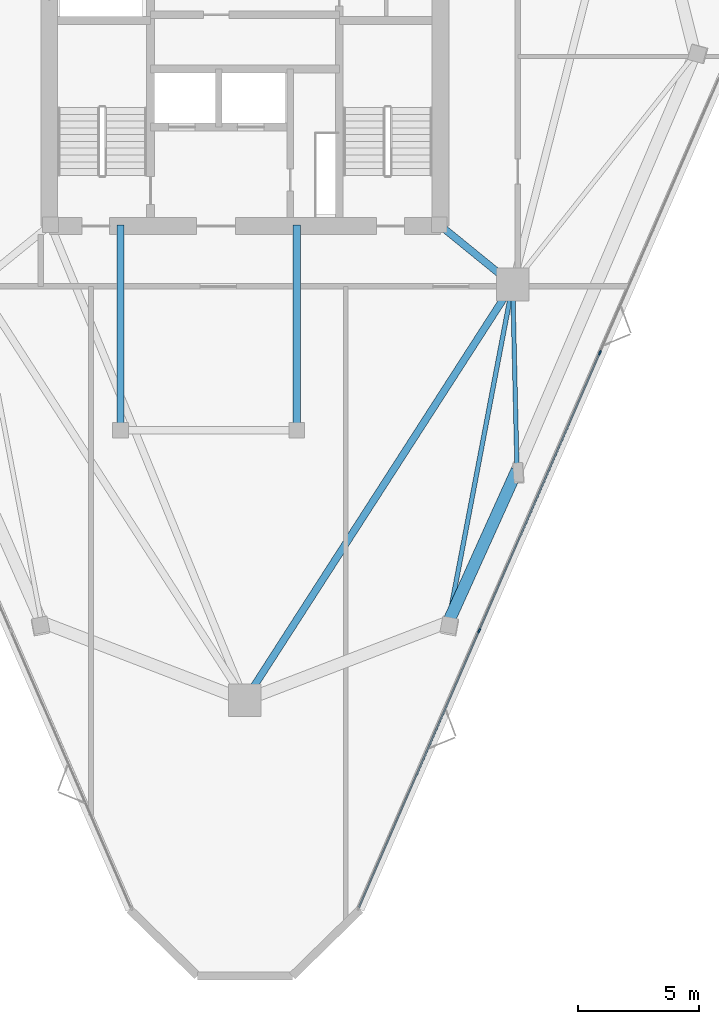
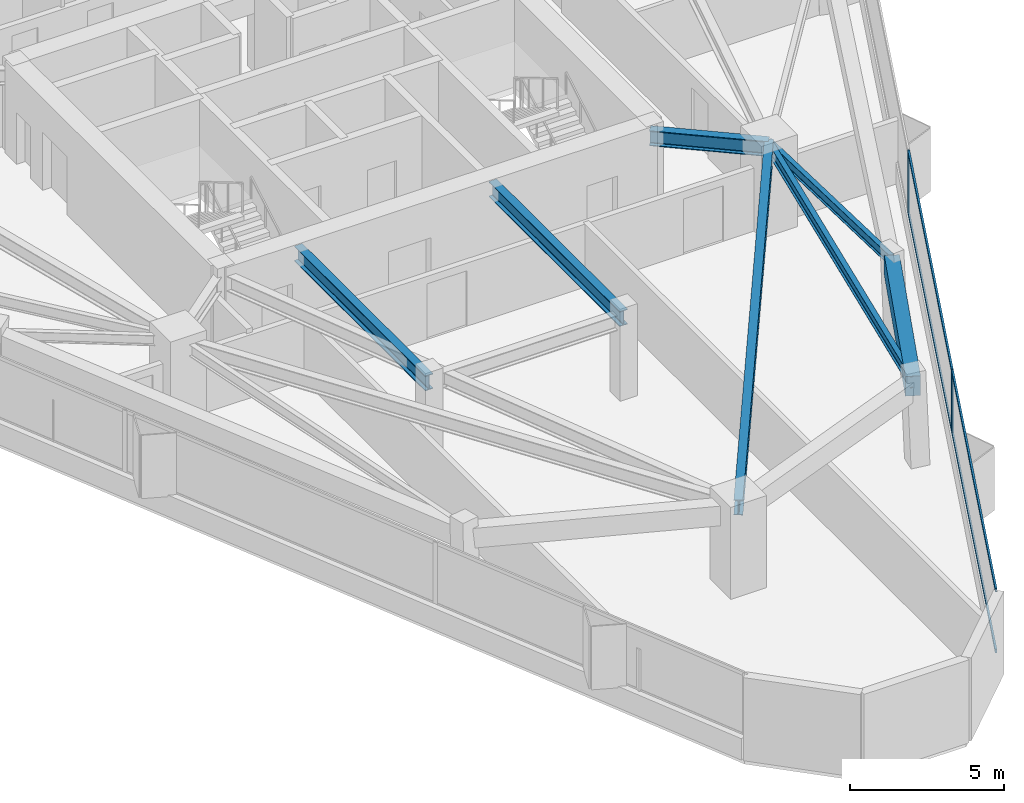
# One storey, part 4 of 12: 7 beams, 6 members, 1 element without a shape of its own.
"""IFC4 building model written with IfcOpenShell, lengths in metres."""

from ifc_helpers import new_model, si_unit, direction, frame, origin, origin_2d, place, context, subcontext, project, spatial, rectangle, i_section, extrude, material, layer, layer_set, material_profile, profile_set, type_object, element, aggregate, save


model = new_model("IFC4")

# Units and contexts
model_context = context("Model", 3, precision=1e-05, world=origin(), true_north=direction((0.0, 1.0)))
body_context = subcontext(model_context, "Body", "Model", "MODEL_VIEW")
ifc_project = project(units=[si_unit("LENGTHUNIT", "METRE"), si_unit("AREAUNIT", "SQUARE_METRE"), si_unit("VOLUMEUNIT", "CUBIC_METRE"), si_unit("PLANEANGLEUNIT", "RADIAN"), si_unit("MASSUNIT", "GRAM", prefix="KILO")], contexts=[model_context])

# Site, building, storey
site_placement = place(None, origin())
site = spatial("IfcSite", under=ifc_project, at=site_placement, CompositionType="ELEMENT")
building_placement = place(site_placement, origin())
building = spatial("IfcBuilding", under=site, at=building_placement, Name="Talyreon Biosciences Tower", CompositionType="ELEMENT")
storey_placement = place(building_placement, frame((0.0, 0.0, 219.550048828125)))
storey = spatial("IfcBuildingStorey", under=building, at=storey_placement, Name="L58", CompositionType="ELEMENT", Elevation=219.550048828125)

# Curtain wall, members
ifc_material_1 = material(Name="Thermally broken aluminium and low-E glazing", Category="aluminium")
ifc_layer = layer(ifc_material_1, 0.179931640625)
ifc_layer_set = layer_set([ifc_layer], Name="Thermally broken aluminium and low-E glazing")
curtain_wall_type = type_object("IfcCurtainWallType", Name="CurtainWall_Zone4Optical", PredefinedType="NOTDEFINED", material=ifc_layer_set)
curtain_wall_placement = place(storey_placement, origin())
curtain_wall = element("IfcCurtainWall", 1, at=curtain_wall_placement, inside=storey, type_object=curtain_wall_type, Name="L58 Unitised Curtain Wall FCW-L58-08", PredefinedType="NOTDEFINED")
ifc_material_2 = material(Name="Anodised thermally broken aluminium", Category="aluminium")
ifc_material_profile_1 = material_profile(ifc_material_2, rectangle(XDim=0.06494140625, YDim=0.179931640625, at=origin_2d()), Name="ALUM MULLION 65x180")
ifc_profile_set_1 = profile_set([ifc_material_profile_1], Name="Anodised thermally broken aluminium")
member_type_1 = type_object("IfcMemberType", Name="CWMullion_65x180", PredefinedType="MULLION", material=ifc_profile_set_1)
member_1_placement = place(storey_placement, frame((80.6962890625, 56.0546875, 0.81005859375), z_axis=(0.0, 0.0, 1.0), x_axis=(0.917221993355, -0.398376473835, 0.0)))
member_1 = element("IfcMember", 2, at=member_1_placement, type_object=member_type_1, Name="CW5 mullion 3", PredefinedType="MULLION", context=body_context, shape_type="SweptSolid", body=[
    extrude(rectangle(XDim=0.06494140625, YDim=0.179931640625, at=origin_2d()), origin(), (0.0, 0.0, 1.0), 2.489990234375),
])
member_2_placement = place(storey_placement, frame((75.6962890625, 44.542724609375, 0.81005859375), z_axis=(0.0, 0.0, 1.0), x_axis=(0.917221993355, -0.398376473835, 0.0)))
member_2 = element("IfcMember", 3, at=member_2_placement, type_object=member_type_1, Name="CW5 mullion 4", PredefinedType="MULLION", context=body_context, shape_type="SweptSolid", body=[
    extrude(rectangle(XDim=0.06494140625, YDim=0.179931640625, at=origin_2d()), origin(), (0.0, 0.0, 1.0), 2.489990234375),
])
ifc_material_profile_2 = material_profile(ifc_material_2, rectangle(XDim=0.06494140625, YDim=0.139892578125, at=origin_2d()), Name="ALUM TRANSOM 65x140")
ifc_profile_set_2 = profile_set([ifc_material_profile_2], Name="Anodised thermally broken aluminium")
member_type_2 = type_object("IfcMemberType", Name="CWTransom_65x140", PredefinedType="USERDEFINED", material=ifc_profile_set_2)
member_3_placement = place(storey_placement, frame((80.683349609375, 56.02490234375, 0.842529296875), z_axis=(-0.39837717116, -0.917221690486, 0.0), x_axis=(0.917221690486, -0.39837717116, 0.0)))
member_3 = element("IfcMember", 4, at=member_3_placement, type_object=member_type_2, Name="CW5 transom 3.1", ObjectType="TRANSOM", PredefinedType="USERDEFINED", context=body_context, shape_type="SweptSolid", body=[
    extrude(rectangle(XDim=0.06494140625, YDim=0.139892578125, at=origin_2d()), origin(), (0.0, 0.0, 1.0), 12.48583984375),
])
member_4_placement = place(storey_placement, frame((80.683349609375, 56.02490234375, 3.267333984375), z_axis=(-0.39837717116, -0.917221690486, 0.0), x_axis=(0.917221690486, -0.39837717116, 0.0)))
member_4 = element("IfcMember", 5, at=member_4_placement, type_object=member_type_2, Name="CW5 transom 3.2", ObjectType="TRANSOM", PredefinedType="USERDEFINED", context=body_context, shape_type="SweptSolid", body=[
    extrude(rectangle(XDim=0.06494140625, YDim=0.139892578125, at=origin_2d()), origin(), (0.0, 0.0, 1.0), 12.48583984375),
])
member_5_placement = place(storey_placement, frame((75.683349609375, 44.512939453125, 0.842529296875), z_axis=(-0.398376978135, -0.917221774323, 0.0), x_axis=(0.917221774323, -0.398376978135, 0.0)))
member_5 = element("IfcMember", 6, at=member_5_placement, type_object=member_type_2, Name="CW5 transom 4.1", ObjectType="TRANSOM", PredefinedType="USERDEFINED", context=body_context, shape_type="SweptSolid", body=[
    extrude(rectangle(XDim=0.06494140625, YDim=0.139892578125, at=origin_2d()), origin(), (0.0, 0.0, 1.0), 12.453369140625),
])
member_6_placement = place(storey_placement, frame((75.683349609375, 44.512939453125, 3.267333984375), z_axis=(-0.398376978135, -0.917221774323, 0.0), x_axis=(0.917221774323, -0.398376978135, 0.0)))
member_6 = element("IfcMember", 7, at=member_6_placement, type_object=member_type_2, Name="CW5 transom 4.2", ObjectType="TRANSOM", PredefinedType="USERDEFINED", context=body_context, shape_type="SweptSolid", body=[
    extrude(rectangle(XDim=0.06494140625, YDim=0.139892578125, at=origin_2d()), origin(), (0.0, 0.0, 1.0), 12.453369140625),
])
aggregate(curtain_wall, [member_1, member_2, member_3, member_4, member_5, member_6])

# Beams
ifc_material_3 = material(Name="Precast concrete C45/55", Category="concrete")
ifc_material_profile_3 = material_profile(ifc_material_3, rectangle(XDim=0.5, YDim=0.780029296875, at=origin_2d()), Name="RCB 500x780")
ifc_profile_set_3 = profile_set([ifc_material_profile_3], Name="Precast concrete C45/55")
beam_type_1 = type_object("IfcBeamType", Name="ExpressedSpandrel_500x780", PredefinedType="SPANDREL", material=ifc_profile_set_3)
beam_1_placement = place(storey_placement, frame((74.424560546875, 44.90625, 2.909912109375), z_axis=(0.411450195672, 0.911432244592, 0.0), x_axis=(-0.911432244592, 0.411450195672, 0.0)))
element("IfcBeam", 8, at=beam_1_placement, inside=storey, type_object=beam_type_1, Name="L58 Expressed Horizontal Concrete Spandrel 02", PredefinedType="SPANDREL", context=body_context, shape_type="SweptSolid", body=[
    extrude(rectangle(XDim=0.5, YDim=0.780029296875, at=origin_2d()), origin(), (0.0, 0.0, 1.0), 6.899658203125),
])
ifc_material_4 = material(Name="Steel SM355", Category="steel")
ifc_material_profile_4 = material_profile(ifc_material_4, i_section(OverallWidth=0.300048828125, OverallDepth=0.60009765625, WebThickness=0.015380859375, FlangeThickness=0.030029296875, FilletRadius=0.027099609375, at=origin_2d()), Name="HE600B")
ifc_profile_set_4 = profile_set([ifc_material_profile_4], Name="Steel SM355")
beam_type_2 = type_object("IfcBeamType", Name="SteelBeam_HE600B", PredefinedType="BEAM", material=ifc_profile_set_4)
beam_2_placement = place(storey_placement, frame((66.0, 41.6669921875, 3.0), z_axis=(0.541463723609, 0.840724114092, 0.0), x_axis=(-0.840724114092, 0.541463723609, 0.0)))
element("IfcBeam", 9, at=beam_2_placement, inside=storey, type_object=beam_type_2, Name="L58 Mega-Ring Girder 1", PredefinedType="BEAM", context=body_context, shape_type="SweptSolid", body=[
    extrude(i_section(OverallWidth=0.300048828125, OverallDepth=0.60009765625, WebThickness=0.015380859375, FlangeThickness=0.030029296875, FilletRadius=0.027099609375, at=origin_2d()), origin(), (0.0, 0.0, 1.0), 20.474365234375),
])
beam_3_placement = place(storey_placement, frame((74.050048828125, 61.35009765625, 3.0), z_axis=(0.775755154013, -0.631034025249, 0.0), x_axis=(0.631034025249, 0.775755154013, 0.0)))
element("IfcBeam", 10, at=beam_3_placement, inside=storey, type_object=beam_type_2, Name="L58 Radial Primary Girder 2", PredefinedType="BEAM", context=body_context, shape_type="SweptSolid", body=[
    extrude(i_section(OverallWidth=0.300048828125, OverallDepth=0.60009765625, WebThickness=0.015380859375, FlangeThickness=0.030029296875, FilletRadius=0.027099609375, at=origin_2d()), origin(), (0.0, 0.0, 1.0), 3.913818359375),
])
for number, where, z_axis, x_axis, name in (
    (11, (60.85009765625, 52.840087890625, 3.0), (0.0, 1.0, 0.0), (-1.0, 0.0, 0.0), "L58 Crown Shaft Tie Girder W"),
    (12, (68.14990234375, 52.840087890625, 3.0), (0.0, 1.0, 0.0), (-1.0, 0.0, 0.0), "L58 Crown Shaft Tie Girder E"),
):
    element("IfcBeam", number, at=place(storey_placement, frame(where, z_axis=z_axis, x_axis=x_axis)), inside=storey, type_object=beam_type_2, Name=name, PredefinedType="BEAM", context=body_context, shape_type="SweptSolid", body=[
        extrude(i_section(OverallWidth=0.300048828125, OverallDepth=0.60009765625, WebThickness=0.015380859375, FlangeThickness=0.030029296875, FilletRadius=0.027099609375, at=origin_2d()), origin(), (0.0, 0.0, 1.0), 8.510009765625),
    ])
ifc_material_profile_5 = material_profile(ifc_material_4, i_section(OverallWidth=0.179931640625, OverallDepth=0.39990234375, WebThickness=0.008544921875, FlangeThickness=0.013427734375, FilletRadius=0.02099609375, at=origin_2d()), Name="IPE400")
ifc_profile_set_5 = profile_set([ifc_material_profile_5], Name="Steel SM355")
beam_type_3 = type_object("IfcBeamType", Name="SteelJoist_IPE400", PredefinedType="JOIST", material=ifc_profile_set_5)
beam_4_placement = place(storey_placement, frame((77.086181640625, 58.88037109375, 3.099853515625), z_axis=(0.02305613116, -0.999734172076, 0.0), x_axis=(0.999734172076, 0.02305613116, 0.0)))
element("IfcBeam", 13, at=beam_4_placement, inside=storey, type_object=beam_type_3, Name="L58 Radial Composite Floor Joist PL-SE", PredefinedType="JOIST", context=body_context, shape_type="SweptSolid", body=[
    extrude(i_section(OverallWidth=0.179931640625, OverallDepth=0.39990234375, WebThickness=0.008544921875, FlangeThickness=0.013427734375, FilletRadius=0.02099609375, at=origin_2d()), origin(), (0.0, 0.0, 1.0), 7.6875),
])
ifc_material_profile_6 = material_profile(ifc_material_4, i_section(OverallWidth=0.18994140625, OverallDepth=0.449951171875, WebThickness=0.009521484375, FlangeThickness=0.0146484375, FilletRadius=0.02099609375, at=origin_2d()), Name="IPE450")
ifc_profile_set_6 = profile_set([ifc_material_profile_6], Name="Steel SM355")
beam_type_4 = type_object("IfcBeamType", Name="SteelJoist_IPE450", PredefinedType="JOIST", material=ifc_profile_set_6)
beam_5_placement = place(storey_placement, frame((77.086181640625, 58.88037109375, 3.074951171875), z_axis=(-0.187104221453, -0.982340068568, 0.0), x_axis=(0.982340068568, -0.187104221453, 0.0)))
element("IfcBeam", 14, at=beam_5_placement, inside=storey, type_object=beam_type_4, Name="L58 Radial Composite Floor Joist PC-SE1", PredefinedType="JOIST", context=body_context, shape_type="SweptSolid", body=[
    extrude(i_section(OverallWidth=0.18994140625, OverallDepth=0.449951171875, WebThickness=0.009521484375, FlangeThickness=0.0146484375, FilletRadius=0.02099609375, at=origin_2d()), origin(), (0.0, 0.0, 1.0), 14.225341796875),
])

save(model, "model.ifc")
